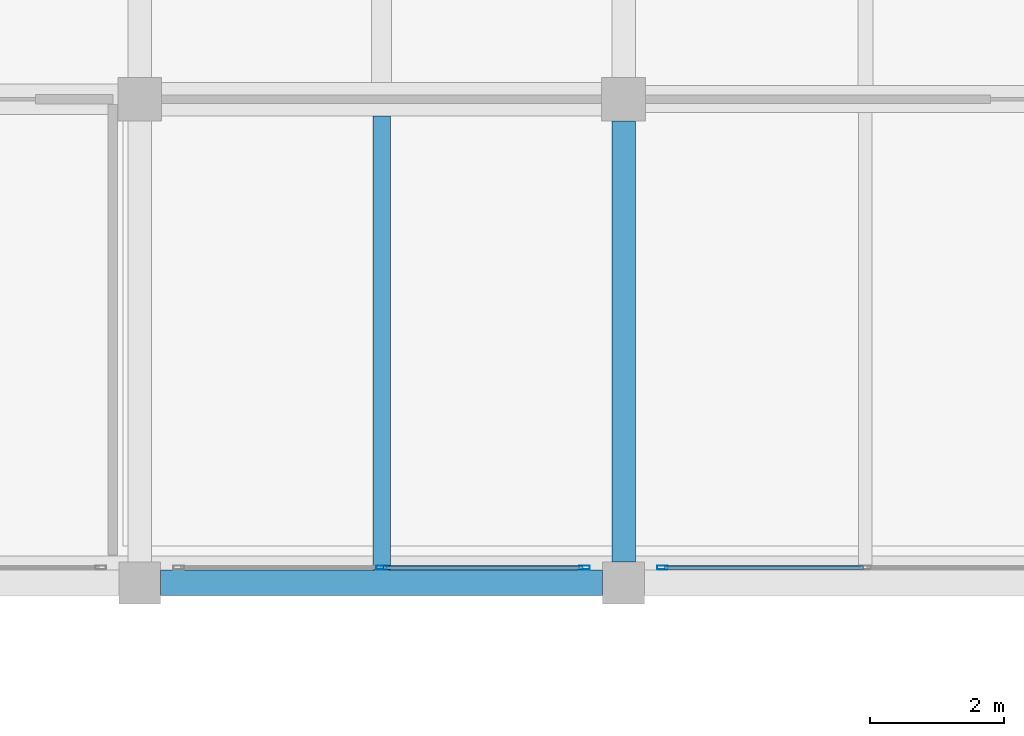
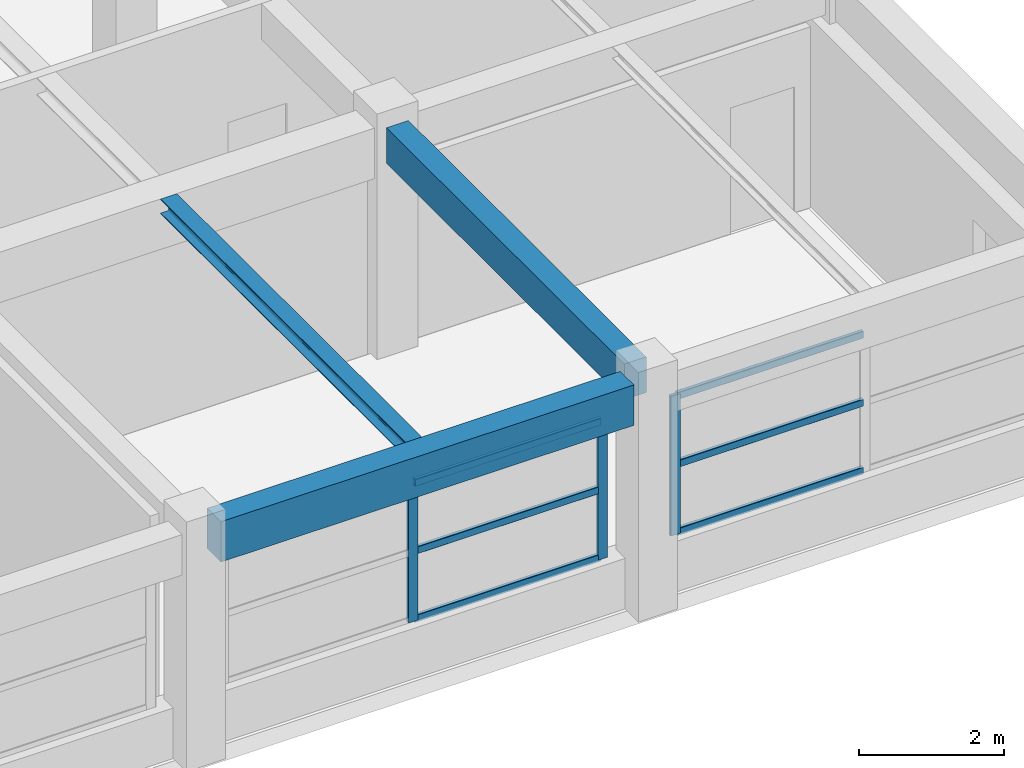
# One storey, part 24 of 67: 9 members, 3 beams, 2 elements without a shape of their own.
"""IFC4 building model written with IfcOpenShell, lengths in metres."""

from ifc_helpers import new_model, si_unit, direction, frame, origin, origin_2d, place, context, subcontext, project, spatial, rectangle, hollow_rectangle, i_section, extrude, material, material_profile, profile_set, type_object, element, aggregate, save


model = new_model("IFC4")

# Units and contexts
model_context = context("Model", 3, precision=1e-05, world=origin(), true_north=direction((0.0, 1.0)))
body_context = subcontext(model_context, "Body", "Model", "MODEL_VIEW")
ifc_project = project(units=[si_unit("LENGTHUNIT", "METRE"), si_unit("AREAUNIT", "SQUARE_METRE"), si_unit("VOLUMEUNIT", "CUBIC_METRE"), si_unit("PLANEANGLEUNIT", "RADIAN"), si_unit("MASSUNIT", "GRAM", prefix="KILO")], contexts=[model_context])

# Site, building, storey
site_placement = place(None, origin())
site = spatial("IfcSite", under=ifc_project, at=site_placement, CompositionType="ELEMENT")
building_placement = place(site_placement, origin())
building = spatial("IfcBuilding", under=site, at=building_placement, Name="Bramveld Media Centre", CompositionType="ELEMENT")
storey_placement = place(building_placement, frame((0.0, 0.0, 5.39990234375)))
storey = spatial("IfcBuildingStorey", under=building, at=storey_placement, Name="L01", CompositionType="ELEMENT", Elevation=5.39990234375)

# Beam
ifc_material_1 = material(Name="Concrete C40/50", Category="concrete")
ifc_material_profile_1 = material_profile(ifc_material_1, rectangle(XDim=0.35009765625, YDim=0.60009765625, at=origin_2d()), Name="RC 350x600")
ifc_profile_set_1 = profile_set([ifc_material_profile_1], Name="Concrete C40/50")
beam_type_1 = type_object("IfcBeamType", Name="BM-INT-RC-350x600", PredefinedType="BEAM", material=ifc_profile_set_1)
beam_1_placement = place(storey_placement, frame((101.60009765625, 90.7099609375, 3.6201171875), z_axis=(0.0, 1.0, 0.0), x_axis=(-1.0, 0.0, 0.0)))
element("IfcBeam", 1, at=beam_1_placement, inside=storey, type_object=beam_type_1, Name="V6 L01 girder Y-1038", PredefinedType="BEAM", context=body_context, shape_type="SweptSolid", body=[
    extrude(rectangle(XDim=0.35009765625, YDim=0.60009765625, at=origin_2d()), origin(), (0.0, 0.0, 1.0), 6.56494140625),
])

# Curtain wall, members
ifc_material_2 = material(Name="Thermally broken anodized bronze aluminium unitized curtain wall with solar-control triple glazing", Category="aluminium")
curtain_wall_type = type_object("IfcCurtainWallType", Name="CW-FACV6-6100x2350", PredefinedType="NOTDEFINED", material=ifc_material_2)
curtain_wall_1_placement = place(storey_placement, origin())
curtain_wall_1 = element("IfcCurtainWall", 2, at=curtain_wall_1_placement, inside=storey, type_object=curtain_wall_type, Name="V6 L01 S curtain wall bay 5", PredefinedType="NOTDEFINED")
ifc_material_3 = material(Name="Thermally broken anodized bronze aluminium EN AW-6063 T6 curtain-wall framing", Category="aluminium")
ifc_material_profile_2 = material_profile(ifc_material_3, hollow_rectangle(XDim=0.06005859375, YDim=0.159912109375, WallThickness=0.00390625, InnerFilletRadius=0.00390625, OuterFilletRadius=0.008056640625, at=origin_2d()), Name="AL-MULL 60x160")
ifc_profile_set_2 = profile_set([ifc_material_profile_2], Name="Thermally broken anodized bronze aluminium EN AW-6063 T6 curtain-wall framing")
member_type_1 = type_object("IfcMemberType", Name="CW-MULL-EXT", PredefinedType="MULLION", material=ifc_profile_set_2)
member_1_placement = place(storey_placement, frame((98.0, 90.6298828125, 0.85009765625), z_axis=(0.0, 0.0, 1.0), x_axis=(0.0, 1.0, 0.0)))
member_1 = element("IfcMember", 3, at=member_1_placement, type_object=member_type_1, Name="CW-FA-6123 mullion 2", PredefinedType="MULLION", context=body_context, shape_type="SweptSolid", body=[
    extrude(hollow_rectangle(XDim=0.06005859375, YDim=0.159912109375, WallThickness=0.00390625, InnerFilletRadius=0.00390625, OuterFilletRadius=0.008056640625, at=origin_2d()), origin(), (0.0, 0.0, 1.0), 2.35009765625),
])
member_2_placement = place(storey_placement, frame((101.02001953125, 90.6298828125, 0.85009765625), z_axis=(0.0, 0.0, 1.0), x_axis=(0.0, 1.0, 0.0)))
member_2 = element("IfcMember", 4, at=member_2_placement, type_object=member_type_1, Name="CW-FA-6123 mullion 3", PredefinedType="MULLION", context=body_context, shape_type="SweptSolid", body=[
    extrude(hollow_rectangle(XDim=0.06005859375, YDim=0.159912109375, WallThickness=0.00390625, InnerFilletRadius=0.00390625, OuterFilletRadius=0.008056640625, at=origin_2d()), origin(), (0.0, 0.0, 1.0), 2.35009765625),
])

# Curtain wall, member
curtain_wall_2_placement = place(storey_placement, origin())
curtain_wall_2 = element("IfcCurtainWall", 5, at=curtain_wall_2_placement, inside=storey, type_object=curtain_wall_type, Name="V6 L01 S curtain wall bay 6", PredefinedType="NOTDEFINED")
member_3_placement = place(storey_placement, frame((102.179931640625, 90.6298828125, 0.85009765625), z_axis=(0.0, 0.0, 1.0), x_axis=(0.0, 1.0, 0.0)))
member_3 = element("IfcMember", 6, at=member_3_placement, type_object=member_type_1, Name="CW-FA-6123 mullion 1", PredefinedType="MULLION", context=body_context, shape_type="SweptSolid", body=[
    extrude(hollow_rectangle(XDim=0.06005859375, YDim=0.159912109375, WallThickness=0.00390625, InnerFilletRadius=0.00390625, OuterFilletRadius=0.008056640625, at=origin_2d()), origin(), (0.0, 0.0, 1.0), 2.35009765625),
])

# Member
ifc_material_4 = material(Name="Thermally broken anodized bronze aluminium EN AW-6063 T6 curtain-wall framing", Category="aluminium")
ifc_material_profile_3 = material_profile(ifc_material_4, hollow_rectangle(XDim=0.06005859375, YDim=0.1201171875, WallThickness=0.00341796875, InnerFilletRadius=0.00341796875, OuterFilletRadius=0.007080078125, at=origin_2d()), Name="AL-TRAN 60x120")
ifc_profile_set_3 = profile_set([ifc_material_profile_3], Name="Thermally broken anodized bronze aluminium EN AW-6063 T6 curtain-wall framing")
member_type_2 = type_object("IfcMemberType", Name="CW-TRAN-EXT", PredefinedType="USERDEFINED", material=ifc_profile_set_3)
member_4_placement = place(storey_placement, frame((98.030029296875, 90.6298828125, 0.880126953125), z_axis=(1.0, 0.0, 0.0), x_axis=(0.0, 1.0, 0.0)))
member_4 = element("IfcMember", 7, at=member_4_placement, type_object=member_type_2, Name="CW-FA-6123 transom 2.1", ObjectType="TRANSOM", PredefinedType="USERDEFINED", context=body_context, shape_type="SweptSolid", body=[
    extrude(hollow_rectangle(XDim=0.06005859375, YDim=0.1201171875, WallThickness=0.00341796875, InnerFilletRadius=0.00341796875, OuterFilletRadius=0.007080078125, at=origin_2d()), origin(), (0.0, 0.0, 1.0), 2.9599609375),
])

member_5_placement = place(storey_placement, frame((98.030029296875, 90.6298828125, 2.025146484375), z_axis=(1.0, 0.0, 0.0), x_axis=(0.0, 1.0, 0.0)))
member_5 = element("IfcMember", 8, at=member_5_placement, type_object=member_type_2, Name="CW-FA-6123 transom 2.2", ObjectType="TRANSOM", PredefinedType="USERDEFINED", context=body_context, shape_type="SweptSolid", body=[
    extrude(hollow_rectangle(XDim=0.06005859375, YDim=0.1201171875, WallThickness=0.00341796875, InnerFilletRadius=0.00341796875, OuterFilletRadius=0.007080078125, at=origin_2d()), origin(), (0.0, 0.0, 1.0), 2.9599609375),
])

member_6_placement = place(storey_placement, frame((98.030029296875, 90.6298828125, 3.170166015625), z_axis=(1.0, 0.0, 0.0), x_axis=(0.0, 1.0, 0.0)))
member_6 = element("IfcMember", 9, at=member_6_placement, type_object=member_type_2, Name="CW-FA-6123 transom 2.3", ObjectType="TRANSOM", PredefinedType="USERDEFINED", context=body_context, shape_type="SweptSolid", body=[
    extrude(hollow_rectangle(XDim=0.06005859375, YDim=0.1201171875, WallThickness=0.00341796875, InnerFilletRadius=0.00341796875, OuterFilletRadius=0.007080078125, at=origin_2d()), origin(), (0.0, 0.0, 1.0), 2.9599609375),
])

aggregate(curtain_wall_1, [member_1, member_2, member_4, member_5, member_6])

member_7_placement = place(storey_placement, frame((102.2099609375, 90.6298828125, 0.880126953125), z_axis=(1.0, 0.0, 0.0), x_axis=(0.0, 1.0, 0.0)))
member_7 = element("IfcMember", 10, at=member_7_placement, type_object=member_type_2, Name="CW-FA-6123 transom 1.1", ObjectType="TRANSOM", PredefinedType="USERDEFINED", context=body_context, shape_type="SweptSolid", body=[
    extrude(hollow_rectangle(XDim=0.06005859375, YDim=0.1201171875, WallThickness=0.00341796875, InnerFilletRadius=0.00341796875, OuterFilletRadius=0.007080078125, at=origin_2d()), origin(), (0.0, 0.0, 1.0), 2.9599609375),
])

member_8_placement = place(storey_placement, frame((102.2099609375, 90.6298828125, 2.025146484375), z_axis=(1.0, 0.0, 0.0), x_axis=(0.0, 1.0, 0.0)))
member_8 = element("IfcMember", 11, at=member_8_placement, type_object=member_type_2, Name="CW-FA-6123 transom 1.2", ObjectType="TRANSOM", PredefinedType="USERDEFINED", context=body_context, shape_type="SweptSolid", body=[
    extrude(hollow_rectangle(XDim=0.06005859375, YDim=0.1201171875, WallThickness=0.00341796875, InnerFilletRadius=0.00341796875, OuterFilletRadius=0.007080078125, at=origin_2d()), origin(), (0.0, 0.0, 1.0), 2.9599609375),
])

member_9_placement = place(storey_placement, frame((102.2099609375, 90.6298828125, 3.170166015625), z_axis=(1.0, 0.0, 0.0), x_axis=(0.0, 1.0, 0.0)))
member_9 = element("IfcMember", 12, at=member_9_placement, type_object=member_type_2, Name="CW-FA-6123 transom 1.3", ObjectType="TRANSOM", PredefinedType="USERDEFINED", context=body_context, shape_type="SweptSolid", body=[
    extrude(hollow_rectangle(XDim=0.06005859375, YDim=0.1201171875, WallThickness=0.00341796875, InnerFilletRadius=0.00341796875, OuterFilletRadius=0.007080078125, at=origin_2d()), origin(), (0.0, 0.0, 1.0), 2.9599609375),
])

aggregate(curtain_wall_2, [member_3, member_7, member_8, member_9])

# Beams
ifc_material_5 = material(Name="Steel S355J2", Category="steel")
ifc_material_profile_4 = material_profile(ifc_material_5, i_section(OverallWidth=0.260009765625, OverallDepth=0.25, WebThickness=0.007568359375, FlangeThickness=0.012451171875, FilletRadius=0.02392578125, at=origin_2d()), Name="HEA 260")
ifc_profile_set_4 = profile_set([ifc_material_profile_4], Name="Steel S355J2")
beam_type_2 = type_object("IfcBeamType", Name="SBM-INT-HEA-260", PredefinedType="BEAM", material=ifc_profile_set_4)
beam_2_placement = place(storey_placement, frame((98.0, 90.590087890625, 3.795166015625), z_axis=(0.0, 1.0, 0.0), x_axis=(-1.0, 0.0, 0.0)))
element("IfcBeam", 13, at=beam_2_placement, inside=storey, type_object=beam_type_2, Name="V6 L01 secondary floor joist 1056", PredefinedType="BEAM", context=body_context, shape_type="SweptSolid", body=[
    extrude(i_section(OverallWidth=0.260009765625, OverallDepth=0.25, WebThickness=0.007568359375, FlangeThickness=0.012451171875, FilletRadius=0.02392578125, at=origin_2d()), origin(), (0.0, 0.0, 1.0), 6.760009765625),
])
ifc_material_6 = material(Name="Concrete C40/50", Category="concrete")
ifc_material_profile_5 = material_profile(ifc_material_6, rectangle(XDim=0.3798828125, YDim=0.679931640625, at=origin_2d()), Name="RC 380x680")
ifc_profile_set_5 = profile_set([ifc_material_profile_5], Name="Concrete C40/50")
beam_type_3 = type_object("IfcBeamType", Name="SPANDREL-EXT-RC-380x680", PredefinedType="SPANDREL", material=ifc_profile_set_5)
beam_3_placement = place(storey_placement, frame((94.7099609375, 90.39990234375, 3.580078125), z_axis=(1.0, 0.0, 0.0), x_axis=(0.0, 1.0, 0.0)))
element("IfcBeam", 14, at=beam_3_placement, inside=storey, type_object=beam_type_3, Name="V6 L01 girder X-998", PredefinedType="SPANDREL", context=body_context, shape_type="SweptSolid", body=[
    extrude(rectangle(XDim=0.3798828125, YDim=0.679931640625, at=origin_2d()), origin(), (0.0, 0.0, 1.0), 6.580078125),
])

save(model, "model.ifc")
